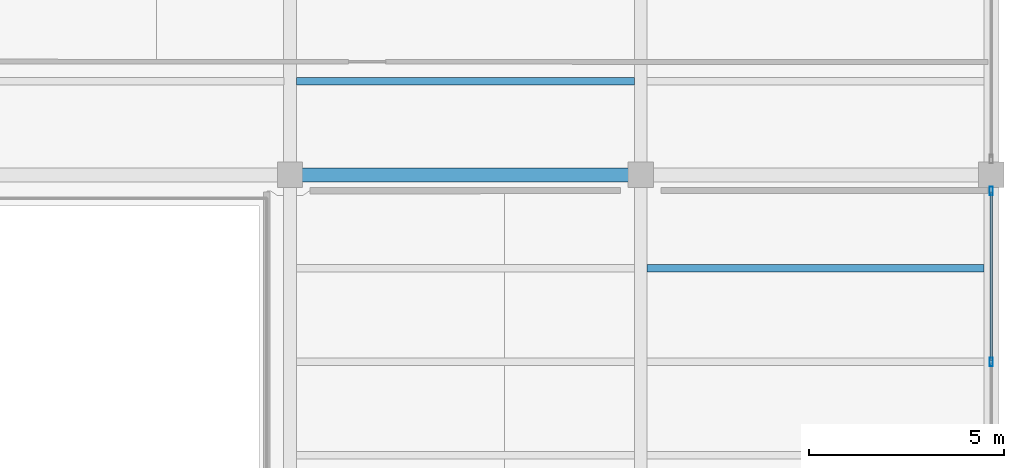
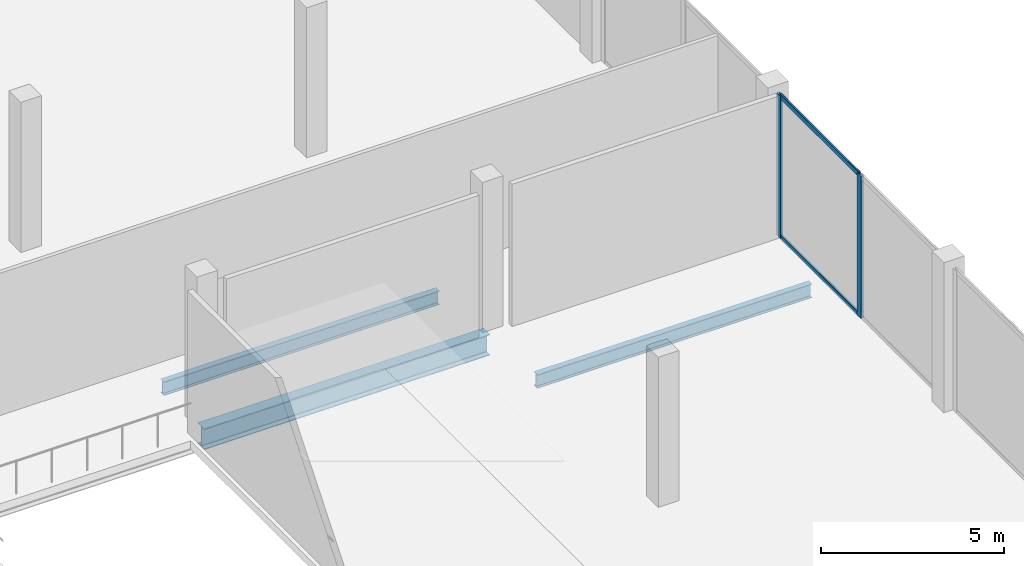
# One storey, part 20 of 46: 4 members, 3 beams, 1 element without a shape of its own.
"""IFC4 building model written with IfcOpenShell, lengths in metres."""

import ifcopenshell
import ifcopenshell.guid

model = None  # the IFC model being written
_history = None  # IfcOwnerHistory: only IFC2X3 demands one
_inside = {}  # id of a spatial element -> (the spatial element, [elements in it])
_under = {}  # id of a project, library or spatial element -> (it, [spatial elements below it])
_declared = {}  # id of a project -> (the project, [libraries it declares])
_typed = {}  # id of a type object -> (the type object, [elements of that type])
_made_of = {}  # id of a material, layer set ... -> (it, [elements and type objects made of it])


def new_model(schema):
    """Start an empty IFC model of exactly this schema.

    Asked for "IFC4X3", IfcOpenShell would pick the latest addendum, in which some entities
    have other attributes; the version numbers below select the first issue.
    IFC2X3 requires an IfcOwnerHistory on every rooted entity: one is made here for all.
    """
    global model, _history
    if schema == "IFC4X3":
        model = ifcopenshell.file(schema_version=(4, 3, 0, 0))
    else:
        model = ifcopenshell.file(schema=schema)
    _inside.clear()
    _under.clear()
    _declared.clear()
    _typed.clear()
    _made_of.clear()
    _history = None
    if model.schema == "IFC2X3":
        org = make("IfcOrganization", Name="unknown")
        user = make(
            "IfcPersonAndOrganization",
            ThePerson=make("IfcPerson", FamilyName="unknown"),
            TheOrganization=org,
        )
        app = make(
            "IfcApplication",
            ApplicationDeveloper=org,
            Version="unknown",
            ApplicationFullName="unknown",
            ApplicationIdentifier="unknown",
        )
        _history = make(
            "IfcOwnerHistory",
            OwningUser=user,
            OwningApplication=app,
            ChangeAction="ADDED",
            CreationDate=0,
        )
    return model


def make(cls, **values):
    """One entity of the class cls with the attributes given. An attribute that is None is left unset."""
    return model.create_entity(
        cls, **{name: value for name, value in values.items() if value is not None}
    )


def rooted(cls, **values):
    """An entity with a GlobalId (a new one), such as an element, a storey or a relation."""
    return make(cls, GlobalId=ifcopenshell.guid.new(), OwnerHistory=_history, **values)


def si_unit(unit_type, name, prefix=None):
    """IfcSIUnit, for example si_unit("LENGTHUNIT", "METRE", prefix="MILLI")."""
    return make("IfcSIUnit", UnitType=unit_type, Prefix=prefix, Name=name)


def assignment(units):
    """IfcUnitAssignment: the units of a project."""
    return None if units is None else make("IfcUnitAssignment", Units=units)


def point(xyz):
    """IfcCartesianPoint."""
    return None if xyz is None else make("IfcCartesianPoint", Coordinates=xyz)


def direction(xyz):
    """IfcDirection."""
    return None if xyz is None else make("IfcDirection", DirectionRatios=xyz)


def frame(location, z_axis=None, x_axis=None):
    """IfcAxis2Placement3D, a coordinate frame: its origin and axes. An axis left out is left unset."""
    return make(
        "IfcAxis2Placement3D",
        Location=point(location),
        Axis=direction(z_axis),
        RefDirection=direction(x_axis),
    )


def frame_2d(location, x_axis=None):
    """IfcAxis2Placement2D, a coordinate frame in the plane: its origin and x axis."""
    return make(
        "IfcAxis2Placement2D", Location=point(location), RefDirection=direction(x_axis)
    )


def origin():
    """The frame at (0, 0, 0) with its axes left unset."""
    return frame((0.0, 0.0, 0.0))


def origin_2d():
    """The frame at (0, 0) in the plane with its x axis left unset."""
    return frame_2d((0.0, 0.0))


def place(relative_to, where):
    """IfcLocalPlacement: puts the frame where relative to a parent placement (None: the world)."""
    return make(
        "IfcLocalPlacement", PlacementRelTo=relative_to, RelativePlacement=where
    )


def context(
    kind, dimensions, precision=None, world=None, true_north=None, identifier=None
):
    """IfcGeometricRepresentationContext, for example the 3D "Model" context."""
    return make(
        "IfcGeometricRepresentationContext",
        ContextIdentifier=identifier,
        ContextType=kind,
        CoordinateSpaceDimension=dimensions,
        Precision=precision,
        WorldCoordinateSystem=world,
        TrueNorth=true_north,
    )


def subcontext(parent, identifier, kind, view, scale=None):
    """IfcGeometricRepresentationSubContext, for example "Body" below "Model"."""
    return make(
        "IfcGeometricRepresentationSubContext",
        ContextIdentifier=identifier,
        ContextType=kind,
        ParentContext=parent,
        TargetScale=scale,
        TargetView=view,
    )


def project(units=None, contexts=None):
    """IfcProject with its units and contexts."""
    return rooted(
        "IfcProject",
        Name="project",
        RepresentationContexts=contexts,
        UnitsInContext=assignment(units),
    )


def spatial(cls, under=None, at=None, **own):
    """A site, building, storey or space (cls), placed at a placement, below another one or the project."""
    s = rooted(cls, ObjectPlacement=at, **own)
    if under is not None:
        _under.setdefault(under.id(), (under, []))[1].append(s)
    return s


def profile(cls, at=None, kind="AREA", **sizes):
    """A parametric profile (cls). Its sizes go by their IFC names, for example OverallWidth=200.0."""
    return make(cls, ProfileType=kind, Position=at, **sizes)


def hollow_rectangle(**sizes):
    """IfcRectangleHollowProfileDef."""
    return profile("IfcRectangleHollowProfileDef", **sizes)


def i_section(**sizes):
    """IfcIShapeProfileDef."""
    return profile("IfcIShapeProfileDef", **sizes)


def extrude(swept, where, along, depth):
    """IfcExtrudedAreaSolid: the profile swept, set in the frame where, extruded along a direction by depth."""
    return make(
        "IfcExtrudedAreaSolid",
        SweptArea=swept,
        Position=where,
        ExtrudedDirection=direction(along),
        Depth=depth,
    )


def shape(context_of_items, identifier, shape_type, items):
    """IfcShapeRepresentation: the items that make up one representation, for example the "Body"."""
    return make(
        "IfcShapeRepresentation",
        ContextOfItems=context_of_items,
        RepresentationIdentifier=identifier,
        RepresentationType=shape_type,
        Items=items,
    )


def material(Name=None, Category=None):
    """IfcMaterial."""
    return make("IfcMaterial", Name=Name, Category=Category)


def layer(
    of_material, thickness, ventilated=None, Name=None, Category=None, Priority=None
):
    """IfcMaterialLayer: one layer of a wall or slab, of a material (None: an air gap)."""
    return make(
        "IfcMaterialLayer",
        Material=of_material,
        LayerThickness=thickness,
        IsVentilated=ventilated,
        Name=Name,
        Category=Category,
        Priority=Priority,
    )


def layer_set(layers, Name=None):
    """IfcMaterialLayerSet."""
    return make("IfcMaterialLayerSet", MaterialLayers=layers, LayerSetName=Name)


def material_profile(
    of_material, cross_section, Name=None, Category=None, Priority=None
):
    """IfcMaterialProfile: a cross section and its material."""
    return make(
        "IfcMaterialProfile",
        Name=Name,
        Material=of_material,
        Profile=cross_section,
        Priority=Priority,
        Category=Category,
    )


def profile_set(profiles, Name=None, composite=None):
    """IfcMaterialProfileSet."""
    return make(
        "IfcMaterialProfileSet",
        Name=Name,
        MaterialProfiles=profiles,
        CompositeProfile=composite,
    )


def made_of(thing, what):
    """Note that an element or type object is made of a material, layer set ...; save() writes the relation."""
    if what is not None:
        _made_of.setdefault(what.id(), (what, []))[1].append(thing)
    return thing


def type_object(cls, material=None, **own):
    """A type object (cls), such as IfcWallType, which elements share."""
    return made_of(rooted(cls, **own), material)


def element(
    cls,
    number,
    at=None,
    inside=None,
    cuts=None,
    type_object=None,
    material=None,
    context=None,
    identifier="Body",
    shape_type=None,
    held_by="IfcProductDefinitionShape",
    body=None,
    shapes=None,
    **own,
):
    """One element of the class cls, such as IfcWall. Its Tag is "e" and its number.

    at: its placement. inside: the storey or other place that contains it. cuts: it is an
    opening in that element (IfcRelVoidsElement). A single representation is given by context,
    identifier, shape_type and body (its items); several are given by shapes. held_by: the class
    of the entity that holds the representations. save() writes the other relations.
    """
    e = rooted(cls, Tag="e%d" % number, ObjectPlacement=at, **own)
    if body is not None:
        shapes = [shape(context, identifier, shape_type, body)]
    if shapes is not None:
        e.Representation = make(held_by, Representations=shapes)
    if inside is not None:
        _inside.setdefault(inside.id(), (inside, []))[1].append(e)
    if cuts is not None:
        rooted(
            "IfcRelVoidsElement", RelatingBuildingElement=cuts, RelatedOpeningElement=e
        )
    if type_object is not None:
        _typed.setdefault(type_object.id(), (type_object, []))[1].append(e)
    return made_of(e, material)


def aggregate(whole, parts):
    """IfcRelAggregates: a whole, such as a stair, and the parts it consists of."""
    return rooted("IfcRelAggregates", RelatingObject=whole, RelatedObjects=parts)


def save(model, path):
    """Write the relations noted so far, then the file.

    IfcRelAggregates (storeys below a building ...), IfcRelContainedInSpatialStructure (elements
    in a storey), IfcRelDefinesByType, IfcRelAssociatesMaterial and IfcRelDeclares: one each for
    every whole, place, type object, material and project.
    """
    for whole, parts in _under.values():
        aggregate(whole, parts)
    for where, things in _inside.values():
        rooted(
            "IfcRelContainedInSpatialStructure",
            RelatedElements=things,
            RelatingStructure=where,
        )
    for kind, things in _typed.values():
        rooted("IfcRelDefinesByType", RelatedObjects=things, RelatingType=kind)
    for what, things in _made_of.values():
        rooted("IfcRelAssociatesMaterial", RelatedObjects=things, RelatingMaterial=what)
    for by, libraries in _declared.values():
        rooted("IfcRelDeclares", RelatingContext=by, RelatedDefinitions=libraries)
    model.write(path)


model = new_model("IFC4")

# Units and contexts
model_context = context("Model", 3, precision=1e-05, world=origin(), true_north=direction((0.0, 1.0)))
body_context = subcontext(model_context, "Body", "Model", "MODEL_VIEW")
ifc_project = project(units=[si_unit("LENGTHUNIT", "METRE"), si_unit("AREAUNIT", "SQUARE_METRE"), si_unit("VOLUMEUNIT", "CUBIC_METRE"), si_unit("PLANEANGLEUNIT", "RADIAN"), si_unit("MASSUNIT", "GRAM", prefix="KILO")], contexts=[model_context])

# Site, building, storey
site_placement = place(None, origin())
site = spatial("IfcSite", under=ifc_project, at=site_placement, CompositionType="ELEMENT")
building_placement = place(site_placement, origin())
building = spatial("IfcBuilding", under=site, at=building_placement, Name="Qorvath Tower", CompositionType="ELEMENT")
storey_placement = place(building_placement, frame((0.0, 0.0, 17.0)))
storey = spatial("IfcBuildingStorey", under=building, at=storey_placement, Name="L03", CompositionType="ELEMENT", Elevation=17.0)

# Beams
ifc_material_1 = material(Name="Steel ASTM A992 Grade 50", Category="steel")
ifc_material_profile_1 = material_profile(ifc_material_1, i_section(OverallWidth=0.35595703125, OverallDepth=0.696044921875, WebThickness=0.015380859375, FlangeThickness=0.02490234375, FilletRadius=0.01806640625, at=origin_2d()), Name="W27x146")
ifc_profile_set_1 = profile_set([ifc_material_profile_1], Name="Steel ASTM A992 Grade 50")
beam_type_1 = type_object("IfcBeamType", Name="BM-FG4", PredefinedType="BEAM", material=ifc_profile_set_1)
beam_1_placement = place(storey_placement, frame((59.39990234375, 9.60009765625, -0.60791015625), z_axis=(1.0, 0.0, 0.0), x_axis=(0.0, 1.0, 0.0)))
element("IfcBeam", 1, at=beam_1_placement, inside=storey, type_object=beam_type_1, Name="Library E-W Girder L03-6-4", PredefinedType="BEAM", context=body_context, shape_type="SweptSolid", body=[
    extrude(i_section(OverallWidth=0.35595703125, OverallDepth=0.696044921875, WebThickness=0.015380859375, FlangeThickness=0.02490234375, FilletRadius=0.01806640625, at=origin_2d()), origin(), (0.0, 0.0, 1.0), 9.0),
])
ifc_material_2 = material(Name="Steel ASTM A992 Grade 50", Category="steel")
ifc_material_profile_2 = material_profile(ifc_material_2, i_section(OverallWidth=0.18994140625, OverallDepth=0.45703125, WebThickness=0.009033203125, FlangeThickness=0.014404296875, FilletRadius=0.011962890625, at=origin_2d()), Name="W18x50")
ifc_profile_set_2 = profile_set([ifc_material_profile_2], Name="Steel ASTM A992 Grade 50")
beam_type_2 = type_object("IfcBeamType", Name="BM-FJ2", PredefinedType="JOIST", material=ifc_profile_set_2)
beam_2_placement = place(storey_placement, frame((68.560546875, 7.199951171875, -0.488525390625), z_axis=(1.0, 0.0, 0.0), x_axis=(0.0, 1.0, 0.0)))
element("IfcBeam", 2, at=beam_2_placement, inside=storey, type_object=beam_type_2, Name="Library Stack Joist L03-5.3-5", PredefinedType="JOIST", context=body_context, shape_type="SweptSolid", body=[
    extrude(i_section(OverallWidth=0.18994140625, OverallDepth=0.45703125, WebThickness=0.009033203125, FlangeThickness=0.014404296875, FilletRadius=0.011962890625, at=origin_2d()), origin(), (0.0, 0.0, 1.0), 8.65087890625),
])
beam_3_placement = place(storey_placement, frame((59.560546875, 12.0, -0.488525390625), z_axis=(1.0, 0.0, 0.0), x_axis=(0.0, 1.0, 0.0)))
element("IfcBeam", 3, at=beam_3_placement, inside=storey, type_object=beam_type_2, Name="Library Stack Joist L03-6.1-4", PredefinedType="JOIST", context=body_context, shape_type="SweptSolid", body=[
    extrude(i_section(OverallWidth=0.18994140625, OverallDepth=0.45703125, WebThickness=0.009033203125, FlangeThickness=0.014404296875, FilletRadius=0.011962890625, at=origin_2d()), origin(), (0.0, 0.0, 1.0), 8.678955078125),
])

# Curtain wall, members
ifc_material_3 = material(Name="Anodised aluminium and triple low-E glass", Category="aluminium")
ifc_layer = layer(ifc_material_3, 0.179931640625)
ifc_layer_set = layer_set([ifc_layer], Name="CW-SYS-6")
curtain_wall_type = type_object("IfcCurtainWallType", Name="CW-SYS-6", PredefinedType="NOTDEFINED", material=ifc_layer_set)
curtain_wall_placement = place(storey_placement, origin())
curtain_wall = element("IfcCurtainWall", 4, at=curtain_wall_placement, inside=storey, type_object=curtain_wall_type, Name="Curtain Wall CW-6 CW-LIB-E-L03-5", PredefinedType="NOTDEFINED")
ifc_material_4 = material(Name="Anodised aluminium 6063-T6", Category="aluminium")
ifc_material_profile_3 = material_profile(ifc_material_4, hollow_rectangle(XDim=0.080078125, YDim=0.219970703125, WallThickness=0.00439453125, InnerFilletRadius=0.00439453125, OuterFilletRadius=0.009033203125, at=origin_2d()), Name="CWM LIB 220x80")
ifc_profile_set_3 = profile_set([ifc_material_profile_3], Name="Anodised aluminium 6063-T6")
member_type_1 = type_object("IfcMemberType", Name="CWM-LIB", PredefinedType="MULLION", material=ifc_profile_set_3)
member_1_placement = place(storey_placement, frame((77.39990234375, 4.800048828125, 0.0), z_axis=(0.0, 0.0, 1.0), x_axis=(-1.0, 0.0, 0.0)))
member_1 = element("IfcMember", 5, at=member_1_placement, type_object=member_type_1, Name="CW-6 mullion 2", PredefinedType="MULLION", context=body_context, shape_type="SweptSolid", body=[
    extrude(hollow_rectangle(XDim=0.080078125, YDim=0.219970703125, WallThickness=0.00439453125, InnerFilletRadius=0.00439453125, OuterFilletRadius=0.009033203125, at=origin_2d()), origin(), (0.0, 0.0, 1.0), 4.739990234375),
])
member_2_placement = place(storey_placement, frame((77.39990234375, 9.18994140625, 0.0), z_axis=(0.0, 0.0, 1.0), x_axis=(-1.0, 0.0, 0.0)))
member_2 = element("IfcMember", 6, at=member_2_placement, type_object=member_type_1, Name="CW-6 mullion 3", PredefinedType="MULLION", context=body_context, shape_type="SweptSolid", body=[
    extrude(hollow_rectangle(XDim=0.080078125, YDim=0.219970703125, WallThickness=0.00439453125, InnerFilletRadius=0.00439453125, OuterFilletRadius=0.009033203125, at=origin_2d()), origin(), (0.0, 0.0, 1.0), 4.739990234375),
])
ifc_material_5 = material(Name="Anodised aluminium 6063-T6", Category="aluminium")
ifc_material_profile_4 = material_profile(ifc_material_5, hollow_rectangle(XDim=0.06494140625, YDim=0.159912109375, WallThickness=0.00341796875, InnerFilletRadius=0.00341796875, OuterFilletRadius=0.007080078125, at=origin_2d()), Name="CWT 160x65")
ifc_profile_set_4 = profile_set([ifc_material_profile_4], Name="Anodised aluminium 6063-T6")
member_type_2 = type_object("IfcMemberType", Name="CWT-160", PredefinedType="USERDEFINED", material=ifc_profile_set_4)
member_3_placement = place(storey_placement, frame((77.39990234375, 4.840087890625, 0.032470703125), z_axis=(0.0, 1.0, 0.0), x_axis=(-1.0, 0.0, 0.0)))
member_3 = element("IfcMember", 7, at=member_3_placement, type_object=member_type_2, Name="CW-6 transom 2.1", ObjectType="TRANSOM", PredefinedType="USERDEFINED", context=body_context, shape_type="SweptSolid", body=[
    extrude(hollow_rectangle(XDim=0.06494140625, YDim=0.159912109375, WallThickness=0.00341796875, InnerFilletRadius=0.00341796875, OuterFilletRadius=0.007080078125, at=origin_2d()), origin(), (0.0, 0.0, 1.0), 4.309814453125),
])
member_4_placement = place(storey_placement, frame((77.39990234375, 4.840087890625, 4.70751953125), z_axis=(0.0, 1.0, 0.0), x_axis=(-1.0, 0.0, 0.0)))
member_4 = element("IfcMember", 8, at=member_4_placement, type_object=member_type_2, Name="CW-6 transom 2.2", ObjectType="TRANSOM", PredefinedType="USERDEFINED", context=body_context, shape_type="SweptSolid", body=[
    extrude(hollow_rectangle(XDim=0.06494140625, YDim=0.159912109375, WallThickness=0.00341796875, InnerFilletRadius=0.00341796875, OuterFilletRadius=0.007080078125, at=origin_2d()), origin(), (0.0, 0.0, 1.0), 4.309814453125),
])
aggregate(curtain_wall, [member_1, member_2, member_3, member_4])

save(model, "model.ifc")
